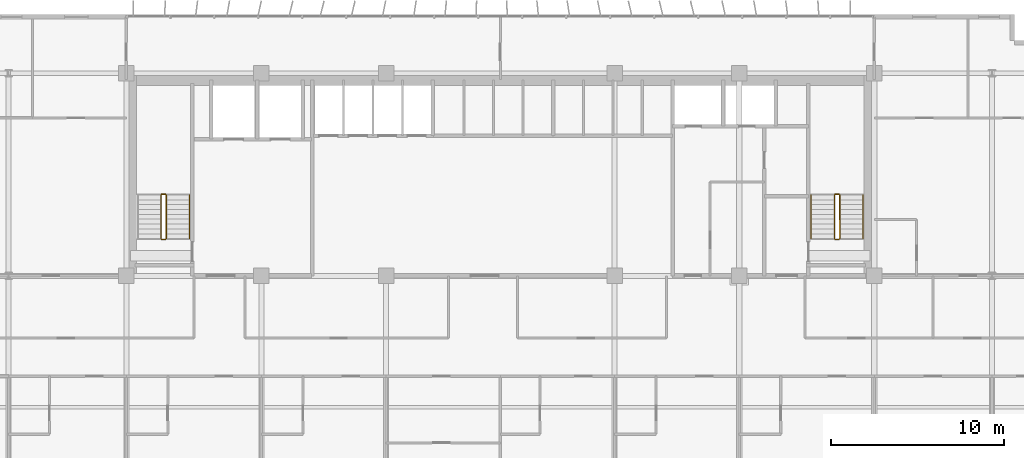
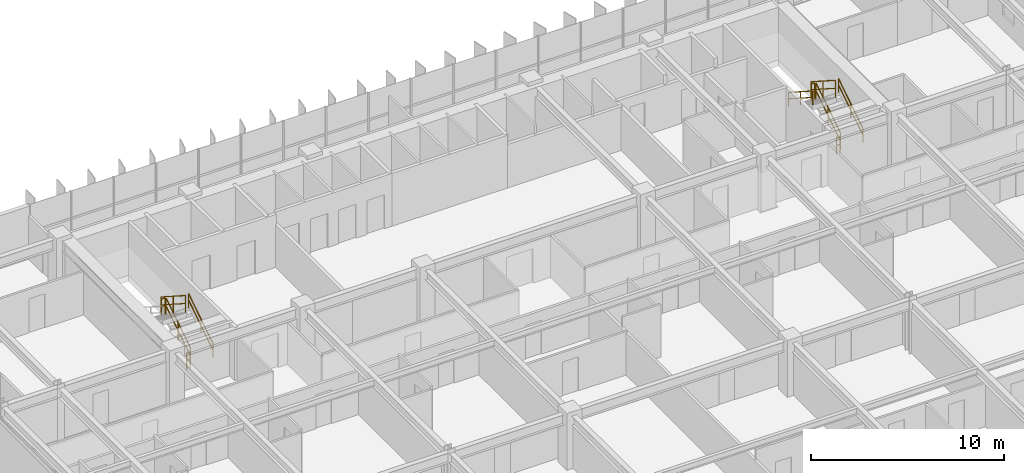
# One storey, part 25 of 26: 11 railings.
"""IFC4 building model written with IfcOpenShell, lengths in metres."""

from ifc_helpers import new_model, si_unit, direction, frame, origin, origin_2d, place, context, subcontext, project, spatial, rectangle, extrude, material, type_object, element, save


model = new_model("IFC4")

# Units and contexts
model_context = context("Model", 3, precision=1e-05, world=origin(), true_north=direction((0.0, 1.0)))
body_context = subcontext(model_context, "Body", "Model", "MODEL_VIEW")
ifc_project = project(units=[si_unit("LENGTHUNIT", "METRE"), si_unit("AREAUNIT", "SQUARE_METRE"), si_unit("VOLUMEUNIT", "CUBIC_METRE"), si_unit("PLANEANGLEUNIT", "RADIAN"), si_unit("MASSUNIT", "GRAM", prefix="KILO")], contexts=[model_context])

# Site, building, storey
site_placement = place(None, origin())
site = spatial("IfcSite", under=ifc_project, at=site_placement, CompositionType="ELEMENT")
building_placement = place(site_placement, origin())
building = spatial("IfcBuilding", under=site, at=building_placement, Name="Trelvane Seafront Commons", CompositionType="ELEMENT")
storey_placement = place(building_placement, frame((0.0, 0.0, 23.5)))
storey = spatial("IfcBuildingStorey", under=building, at=storey_placement, Name="L05", CompositionType="ELEMENT", Elevation=23.5)

# Railings
ifc_material = material(Name="Stainless steel balustrade", Category="steel")
railing_type_1 = type_object("IfcRailingType", Name="ARCH-SRL-GUARD", PredefinedType="GUARDRAIL", material=ifc_material)
railing_1_placement = place(storey_placement, frame((17.89990234375, 35.550048828125, 0.179931640625)))
element("IfcRailing", 1, at=railing_1_placement, inside=storey, type_object=railing_type_1, Name="L05 ST-1 stair guard 1", PredefinedType="GUARDRAIL", context=body_context, shape_type="SweptSolid", body=[
    extrude(rectangle(XDim=0.048095703125, YDim=0.048095703125, at=origin_2d()), frame((0.0, 0.0, 1.076171875), z_axis=(0.0, 0.841162588446, 0.540782303519), x_axis=(-1.0, 0.0, 0.0)), (0.0, 0.0, 1.0), 2.995849609375),
    extrude(rectangle(XDim=0.048095703125, YDim=0.048095703125, at=origin_2d()), frame((0.0, 0.0, 0.572021484375), z_axis=(0.0, 0.841162588446, 0.540782303519), x_axis=(-1.0, 0.0, 0.0)), (0.0, 0.0, 1.0), 2.995849609375),
    extrude(rectangle(XDim=0.0419921875, YDim=0.0419921875, at=origin_2d()), origin(), (0.0, 0.0, 1.0), 1.076171875),
    extrude(rectangle(XDim=0.0419921875, YDim=0.0419921875, at=origin_2d()), frame((0.0, 1.260009765625, 0.81005859375)), (0.0, 0.0, 1.0), 1.076171875),
    extrude(rectangle(XDim=0.0419921875, YDim=0.0419921875, at=origin_2d()), frame((0.0, 2.52001953125, 1.6201171875)), (0.0, 0.0, 1.0), 1.076171875),
])
railing_2_placement = place(storey_placement, frame((17.85009765625, 38.1201171875, 1.800048828125)))
element("IfcRailing", 2, at=railing_2_placement, inside=storey, type_object=railing_type_1, Name="L05 ST-1 stair guard 2", PredefinedType="GUARDRAIL", context=body_context, shape_type="SweptSolid", body=[
    extrude(rectangle(XDim=0.048095703125, YDim=0.048095703125, at=origin_2d()), frame((0.0, 0.0, 1.076171875), z_axis=(-1.0, 0.0, 0.0), x_axis=(0.0, -1.0, 0.0)), (0.0, 0.0, 1.0), 0.2001953125),
    extrude(rectangle(XDim=0.048095703125, YDim=0.048095703125, at=origin_2d()), frame((0.0, 0.0, 0.572021484375), z_axis=(-1.0, 0.0, 0.0), x_axis=(0.0, -1.0, 0.0)), (0.0, 0.0, 1.0), 0.2001953125),
    extrude(rectangle(XDim=0.0419921875, YDim=0.0419921875, at=origin_2d()), origin(), (0.0, 0.0, 1.0), 1.076171875),
    extrude(rectangle(XDim=0.0419921875, YDim=0.0419921875, at=origin_2d()), frame((-0.2001953125, 0.0, 0.0)), (0.0, 0.0, 1.0), 1.076171875),
])
railing_3_placement = place(storey_placement, frame((17.60009765625, 38.070068359375, 1.97998046875)))
element("IfcRailing", 3, at=railing_3_placement, inside=storey, type_object=railing_type_1, Name="L05 ST-1 stair guard 3", PredefinedType="GUARDRAIL", context=body_context, shape_type="SweptSolid", body=[
    extrude(rectangle(XDim=0.048095703125, YDim=0.048095703125, at=origin_2d()), frame((0.0, 0.0, 1.076171875), z_axis=(0.0, -0.841162588446, 0.540782303519), x_axis=(1.0, 0.0, 0.0)), (0.0, 0.0, 1.0), 2.995849609375),
    extrude(rectangle(XDim=0.048095703125, YDim=0.048095703125, at=origin_2d()), frame((0.0, 0.0, 0.572021484375), z_axis=(0.0, -0.841162588446, 0.540782303519), x_axis=(1.0, 0.0, 0.0)), (0.0, 0.0, 1.0), 2.995849609375),
    extrude(rectangle(XDim=0.0419921875, YDim=0.0419921875, at=origin_2d()), origin(), (0.0, 0.0, 1.0), 1.076171875),
    extrude(rectangle(XDim=0.0419921875, YDim=0.0419921875, at=origin_2d()), frame((0.0, -1.260009765625, 0.81005859375)), (0.0, 0.0, 1.0), 1.076171875),
    extrude(rectangle(XDim=0.0419921875, YDim=0.0419921875, at=origin_2d()), frame((0.0, -2.52001953125, 1.6201171875)), (0.0, 0.0, 1.0), 1.076171875),
])
railing_4_placement = place(storey_placement, frame((17.85009765625, 35.5, 0.0)))
element("IfcRailing", 4, at=railing_4_placement, inside=storey, type_object=railing_type_1, Name="L05 ST-1 stair guard 4", PredefinedType="GUARDRAIL", context=body_context, shape_type="SweptSolid", body=[
    extrude(rectangle(XDim=0.048095703125, YDim=0.048095703125, at=origin_2d()), frame((0.0, 0.0, 1.076171875), z_axis=(-1.0, 0.0, 0.0), x_axis=(0.0, -1.0, 0.0)), (0.0, 0.0, 1.0), 0.2001953125),
    extrude(rectangle(XDim=0.048095703125, YDim=0.048095703125, at=origin_2d()), frame((0.0, 0.0, 0.572021484375), z_axis=(-1.0, 0.0, 0.0), x_axis=(0.0, -1.0, 0.0)), (0.0, 0.0, 1.0), 0.2001953125),
    extrude(rectangle(XDim=0.0419921875, YDim=0.0419921875, at=origin_2d()), origin(), (0.0, 0.0, 1.0), 1.076171875),
    extrude(rectangle(XDim=0.0419921875, YDim=0.0419921875, at=origin_2d()), frame((-0.2001953125, 0.0, 0.0)), (0.0, 0.0, 1.0), 1.076171875),
])
railing_5_placement = place(storey_placement, frame((56.800048828125, 35.550048828125, 0.179931640625)))
element("IfcRailing", 5, at=railing_5_placement, inside=storey, type_object=railing_type_1, Name="L05 ST-2 stair guard 1", PredefinedType="GUARDRAIL", context=body_context, shape_type="SweptSolid", body=[
    extrude(rectangle(XDim=0.048095703125, YDim=0.048095703125, at=origin_2d()), frame((0.0, 0.0, 1.076171875), z_axis=(0.0, 0.841162588446, 0.540782303519), x_axis=(-1.0, 0.0, 0.0)), (0.0, 0.0, 1.0), 2.995849609375),
    extrude(rectangle(XDim=0.048095703125, YDim=0.048095703125, at=origin_2d()), frame((0.0, 0.0, 0.572021484375), z_axis=(0.0, 0.841162588446, 0.540782303519), x_axis=(-1.0, 0.0, 0.0)), (0.0, 0.0, 1.0), 2.995849609375),
    extrude(rectangle(XDim=0.0419921875, YDim=0.0419921875, at=origin_2d()), origin(), (0.0, 0.0, 1.0), 1.076171875),
    extrude(rectangle(XDim=0.0419921875, YDim=0.0419921875, at=origin_2d()), frame((0.0, 1.260009765625, 0.81005859375)), (0.0, 0.0, 1.0), 1.076171875),
    extrude(rectangle(XDim=0.0419921875, YDim=0.0419921875, at=origin_2d()), frame((0.0, 2.52001953125, 1.6201171875)), (0.0, 0.0, 1.0), 1.076171875),
])
railing_6_placement = place(storey_placement, frame((56.75, 38.1201171875, 1.800048828125)))
element("IfcRailing", 6, at=railing_6_placement, inside=storey, type_object=railing_type_1, Name="L05 ST-2 stair guard 2", PredefinedType="GUARDRAIL", context=body_context, shape_type="SweptSolid", body=[
    extrude(rectangle(XDim=0.048095703125, YDim=0.048095703125, at=origin_2d()), frame((0.0, 0.0, 1.076171875), z_axis=(-1.0, 0.0, 0.0), x_axis=(0.0, -1.0, 0.0)), (0.0, 0.0, 1.0), 0.199951171875),
    extrude(rectangle(XDim=0.048095703125, YDim=0.048095703125, at=origin_2d()), frame((0.0, 0.0, 0.572021484375), z_axis=(-1.0, 0.0, 0.0), x_axis=(0.0, -1.0, 0.0)), (0.0, 0.0, 1.0), 0.199951171875),
    extrude(rectangle(XDim=0.0419921875, YDim=0.0419921875, at=origin_2d()), origin(), (0.0, 0.0, 1.0), 1.076171875),
    extrude(rectangle(XDim=0.0419921875, YDim=0.0419921875, at=origin_2d()), frame((-0.199951171875, 0.0, 0.0)), (0.0, 0.0, 1.0), 1.076171875),
])
railing_7_placement = place(storey_placement, frame((56.5, 38.070068359375, 1.97998046875)))
element("IfcRailing", 7, at=railing_7_placement, inside=storey, type_object=railing_type_1, Name="L05 ST-2 stair guard 3", PredefinedType="GUARDRAIL", context=body_context, shape_type="SweptSolid", body=[
    extrude(rectangle(XDim=0.048095703125, YDim=0.048095703125, at=origin_2d()), frame((0.0, 0.0, 1.076171875), z_axis=(0.0, -0.841162588446, 0.540782303519), x_axis=(1.0, 0.0, 0.0)), (0.0, 0.0, 1.0), 2.995849609375),
    extrude(rectangle(XDim=0.048095703125, YDim=0.048095703125, at=origin_2d()), frame((0.0, 0.0, 0.572021484375), z_axis=(0.0, -0.841162588446, 0.540782303519), x_axis=(1.0, 0.0, 0.0)), (0.0, 0.0, 1.0), 2.995849609375),
    extrude(rectangle(XDim=0.0419921875, YDim=0.0419921875, at=origin_2d()), origin(), (0.0, 0.0, 1.0), 1.076171875),
    extrude(rectangle(XDim=0.0419921875, YDim=0.0419921875, at=origin_2d()), frame((0.0, -1.260009765625, 0.81005859375)), (0.0, 0.0, 1.0), 1.076171875),
    extrude(rectangle(XDim=0.0419921875, YDim=0.0419921875, at=origin_2d()), frame((0.0, -2.52001953125, 1.6201171875)), (0.0, 0.0, 1.0), 1.076171875),
])
railing_8_placement = place(storey_placement, frame((56.75, 35.5, 0.0)))
element("IfcRailing", 8, at=railing_8_placement, inside=storey, type_object=railing_type_1, Name="L05 ST-2 stair guard 4", PredefinedType="GUARDRAIL", context=body_context, shape_type="SweptSolid", body=[
    extrude(rectangle(XDim=0.048095703125, YDim=0.048095703125, at=origin_2d()), frame((0.0, 0.0, 1.076171875), z_axis=(-1.0, 0.0, 0.0), x_axis=(0.0, -1.0, 0.0)), (0.0, 0.0, 1.0), 0.199951171875),
    extrude(rectangle(XDim=0.048095703125, YDim=0.048095703125, at=origin_2d()), frame((0.0, 0.0, 0.572021484375), z_axis=(-1.0, 0.0, 0.0), x_axis=(0.0, -1.0, 0.0)), (0.0, 0.0, 1.0), 0.199951171875),
    extrude(rectangle(XDim=0.0419921875, YDim=0.0419921875, at=origin_2d()), origin(), (0.0, 0.0, 1.0), 1.076171875),
    extrude(rectangle(XDim=0.0419921875, YDim=0.0419921875, at=origin_2d()), frame((-0.199951171875, 0.0, 0.0)), (0.0, 0.0, 1.0), 1.076171875),
])
railing_type_2 = type_object("IfcRailingType", Name="ARCH-SRL-HAND", PredefinedType="HANDRAIL", material=ifc_material)
for number, where, name in (
    (9, (19.25, 35.550048828125, 0.179931640625), "L05 ST-1 stair handrail 1"),
    (10, (58.14990234375, 35.550048828125, 0.179931640625), "L05 ST-2 stair handrail 1"),
):
    element("IfcRailing", number, at=place(storey_placement, frame(where)), inside=storey, type_object=railing_type_2, Name=name, PredefinedType="HANDRAIL", context=body_context, shape_type="SweptSolid", body=[
        extrude(rectangle(XDim=0.048095703125, YDim=0.048095703125, at=origin_2d()), frame((0.0, 0.0, 0.8759765625), z_axis=(0.0, 0.841162588446, 0.540782303519), x_axis=(-1.0, 0.0, 0.0)), (0.0, 0.0, 1.0), 2.995849609375),
        extrude(rectangle(XDim=0.048095703125, YDim=0.048095703125, at=origin_2d()), frame((0.0, 0.0, 0.468017578125), z_axis=(0.0, 0.841162588446, 0.540782303519), x_axis=(-1.0, 0.0, 0.0)), (0.0, 0.0, 1.0), 2.995849609375),
        extrude(rectangle(XDim=0.0419921875, YDim=0.0419921875, at=origin_2d()), origin(), (0.0, 0.0, 1.0), 0.8759765625),
        extrude(rectangle(XDim=0.0419921875, YDim=0.0419921875, at=origin_2d()), frame((0.0, 1.260009765625, 0.81005859375)), (0.0, 0.0, 1.0), 0.8759765625),
        extrude(rectangle(XDim=0.0419921875, YDim=0.0419921875, at=origin_2d()), frame((0.0, 2.52001953125, 1.6201171875)), (0.0, 0.0, 1.0), 0.8759765625),
    ])
railing_9_placement = place(storey_placement, frame((55.14990234375, 38.070068359375, 1.97998046875)))
element("IfcRailing", 11, at=railing_9_placement, inside=storey, type_object=railing_type_2, Name="L05 ST-2 stair handrail 2", PredefinedType="HANDRAIL", context=body_context, shape_type="SweptSolid", body=[
    extrude(rectangle(XDim=0.048095703125, YDim=0.048095703125, at=origin_2d()), frame((0.0, 0.0, 0.8759765625), z_axis=(0.0, -0.841162588446, 0.540782303519), x_axis=(1.0, 0.0, 0.0)), (0.0, 0.0, 1.0), 2.995849609375),
    extrude(rectangle(XDim=0.048095703125, YDim=0.048095703125, at=origin_2d()), frame((0.0, 0.0, 0.468017578125), z_axis=(0.0, -0.841162588446, 0.540782303519), x_axis=(1.0, 0.0, 0.0)), (0.0, 0.0, 1.0), 2.995849609375),
    extrude(rectangle(XDim=0.0419921875, YDim=0.0419921875, at=origin_2d()), origin(), (0.0, 0.0, 1.0), 0.8759765625),
    extrude(rectangle(XDim=0.0419921875, YDim=0.0419921875, at=origin_2d()), frame((0.0, -1.260009765625, 0.81005859375)), (0.0, 0.0, 1.0), 0.8759765625),
    extrude(rectangle(XDim=0.0419921875, YDim=0.0419921875, at=origin_2d()), frame((0.0, -2.52001953125, 1.6201171875)), (0.0, 0.0, 1.0), 0.8759765625),
])

save(model, "model.ifc")
